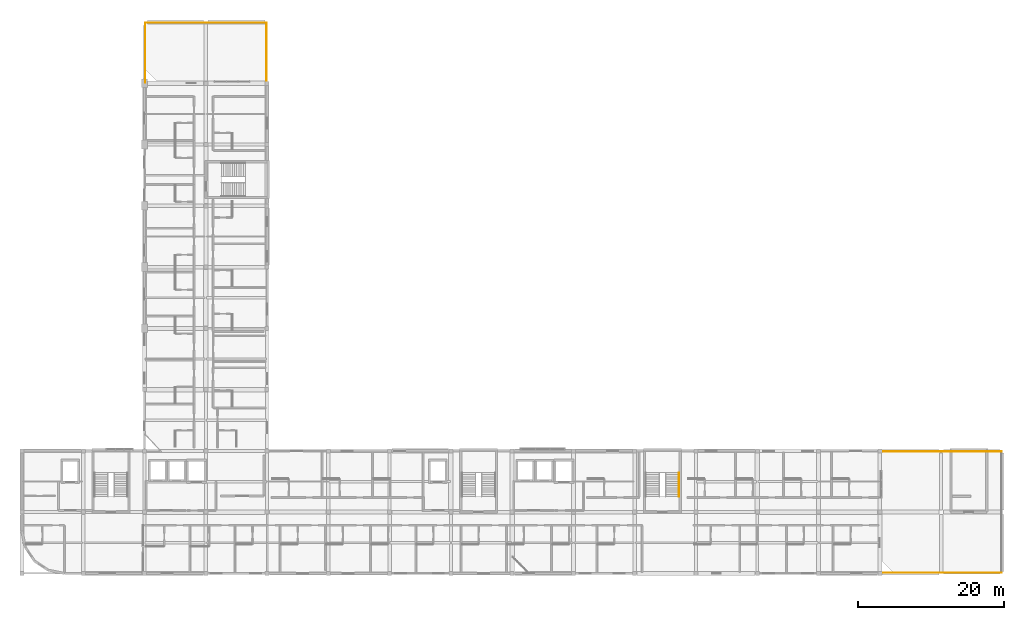
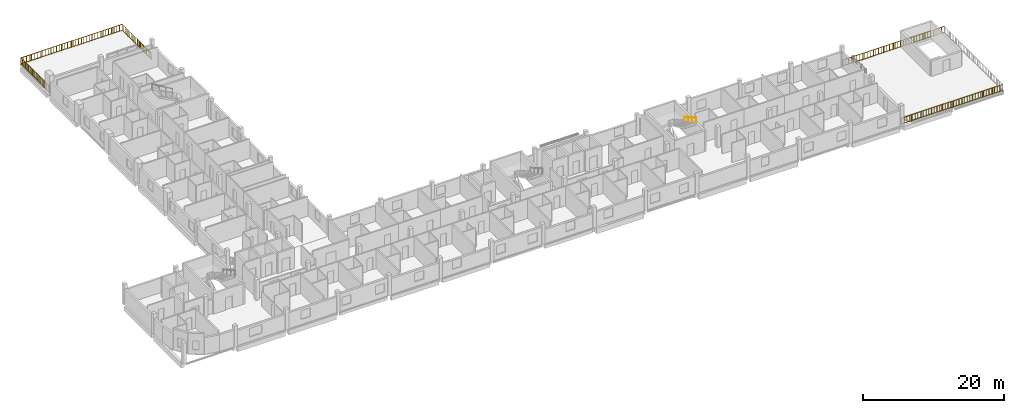
# One storey, part 25 of 26: 6 railings.
"""IFC4 building model written with IfcOpenShell, lengths in metres."""

from ifc_helpers import new_model, si_unit, derived_unit, direction, frame, origin, origin_2d, place, context, subcontext, project, spatial, circle, extrude, material, layer, layer_set, type_object, element, save


model = new_model("IFC4")

# Units and contexts
model_context = context("Model", 3, precision=1e-05, world=origin(), true_north=direction((0.0, 1.0)))
body_context = subcontext(model_context, "Body", "Model", "MODEL_VIEW")
ifc_project = project(units=[si_unit("LENGTHUNIT", "METRE"), si_unit("AREAUNIT", "SQUARE_METRE"), si_unit("VOLUMEUNIT", "CUBIC_METRE"), si_unit("PLANEANGLEUNIT", "RADIAN"), si_unit("MASSUNIT", "GRAM", prefix="KILO"), derived_unit("THERMALTRANSMITTANCEUNIT", [(si_unit("POWERUNIT", "WATT"), 1), (si_unit("LENGTHUNIT", "METRE"), -2), (si_unit("THERMODYNAMICTEMPERATUREUNIT", "KELVIN"), -1)])], contexts=[model_context])

# Site, building, storey
site_placement = place(None, origin())
site = spatial("IfcSite", under=ifc_project, at=site_placement, CompositionType="ELEMENT")
building_placement = place(site_placement, origin())
building = spatial("IfcBuilding", under=site, at=building_placement, Name="Barrovel Congress Hotel", CompositionType="ELEMENT")
storey_placement = place(building_placement, frame((0.0, 0.0, 32.699951171875)))
storey = spatial("IfcBuildingStorey", under=building, at=storey_placement, Name="L08", CompositionType="ELEMENT", Elevation=32.699951171875)

# Railings
ifc_material_1 = material(Name="Painted Architectural Steel", Category="steel")
ifc_layer_1 = layer(ifc_material_1, 0.080078125)
ifc_layer_set_1 = layer_set([ifc_layer_1], Name="Painted Architectural Steel")
railing_type_1 = type_object("IfcRailingType", Name="RAIL-GUARD-EXT", PredefinedType="BALUSTRADE", material=ifc_layer_set_1)
railing_1_placement = place(storey_placement, frame((134.5, 4.300048828125, 0.0)))
element("IfcRailing", 1, at=railing_1_placement, inside=storey, type_object=railing_type_1, Name="L08 East Terrace Guardrail 1", PredefinedType="BALUSTRADE", context=body_context, shape_type="SweptSolid", body=[
    extrude(circle(Radius=0.02392578125, at=origin_2d()), frame((0.0, 0.0, 1.11572265625), z_axis=(1.0, 0.0, 0.0), x_axis=(0.0, 1.0, 0.0)), (0.0, 0.0, 1.0), 16.60009765625),
    extrude(circle(Radius=0.02392578125, at=origin_2d()), frame((0.0, 0.0, 0.10009765625), z_axis=(1.0, 0.0, 0.0), x_axis=(0.0, 1.0, 0.0)), (0.0, 0.0, 1.0), 16.60009765625),
    extrude(circle(Radius=0.010009765625, at=origin_2d()), frame((0.44873046875, 0.0, 0.10009765625)), (0.0, 0.0, 1.0), 0.99169921875),
    extrude(circle(Radius=0.010009765625, at=origin_2d()), frame((0.897216796875, 0.0, 0.10009765625)), (0.0, 0.0, 1.0), 0.99169921875),
    extrude(circle(Radius=0.010009765625, at=origin_2d()), frame((1.345947265625, 0.0, 0.10009765625)), (0.0, 0.0, 1.0), 0.99169921875),
    extrude(circle(Radius=0.010009765625, at=origin_2d()), frame((1.794677734375, 0.0, 0.10009765625)), (0.0, 0.0, 1.0), 0.99169921875),
    extrude(circle(Radius=0.010009765625, at=origin_2d()), frame((2.2431640625, 0.0, 0.10009765625)), (0.0, 0.0, 1.0), 0.99169921875),
    extrude(circle(Radius=0.010009765625, at=origin_2d()), frame((2.69189453125, 0.0, 0.10009765625)), (0.0, 0.0, 1.0), 0.99169921875),
    extrude(circle(Radius=0.010009765625, at=origin_2d()), frame((3.140625, 0.0, 0.10009765625)), (0.0, 0.0, 1.0), 0.99169921875),
    extrude(circle(Radius=0.010009765625, at=origin_2d()), frame((3.589111328125, 0.0, 0.10009765625)), (0.0, 0.0, 1.0), 0.99169921875),
    extrude(circle(Radius=0.010009765625, at=origin_2d()), frame((4.037841796875, 0.0, 0.10009765625)), (0.0, 0.0, 1.0), 0.99169921875),
    extrude(circle(Radius=0.010009765625, at=origin_2d()), frame((4.486572265625, 0.0, 0.10009765625)), (0.0, 0.0, 1.0), 0.99169921875),
    extrude(circle(Radius=0.010009765625, at=origin_2d()), frame((4.93505859375, 0.0, 0.10009765625)), (0.0, 0.0, 1.0), 0.99169921875),
    extrude(circle(Radius=0.010009765625, at=origin_2d()), frame((5.3837890625, 0.0, 0.10009765625)), (0.0, 0.0, 1.0), 0.99169921875),
    extrude(circle(Radius=0.010009765625, at=origin_2d()), frame((5.83251953125, 0.0, 0.10009765625)), (0.0, 0.0, 1.0), 0.99169921875),
    extrude(circle(Radius=0.010009765625, at=origin_2d()), frame((6.281005859375, 0.0, 0.10009765625)), (0.0, 0.0, 1.0), 0.99169921875),
    extrude(circle(Radius=0.010009765625, at=origin_2d()), frame((6.729736328125, 0.0, 0.10009765625)), (0.0, 0.0, 1.0), 0.99169921875),
    extrude(circle(Radius=0.010009765625, at=origin_2d()), frame((7.178466796875, 0.0, 0.10009765625)), (0.0, 0.0, 1.0), 0.99169921875),
    extrude(circle(Radius=0.010009765625, at=origin_2d()), frame((7.626953125, 0.0, 0.10009765625)), (0.0, 0.0, 1.0), 0.99169921875),
    extrude(circle(Radius=0.010009765625, at=origin_2d()), frame((8.07568359375, 0.0, 0.10009765625)), (0.0, 0.0, 1.0), 0.99169921875),
    extrude(circle(Radius=0.010009765625, at=origin_2d()), frame((8.5244140625, 0.0, 0.10009765625)), (0.0, 0.0, 1.0), 0.99169921875),
    extrude(circle(Radius=0.010009765625, at=origin_2d()), frame((8.97314453125, 0.0, 0.10009765625)), (0.0, 0.0, 1.0), 0.99169921875),
    extrude(circle(Radius=0.010009765625, at=origin_2d()), frame((9.421630859375, 0.0, 0.10009765625)), (0.0, 0.0, 1.0), 0.99169921875),
    extrude(circle(Radius=0.010009765625, at=origin_2d()), frame((9.870361328125, 0.0, 0.10009765625)), (0.0, 0.0, 1.0), 0.99169921875),
    extrude(circle(Radius=0.010009765625, at=origin_2d()), frame((10.319091796875, 0.0, 0.10009765625)), (0.0, 0.0, 1.0), 0.99169921875),
    extrude(circle(Radius=0.010009765625, at=origin_2d()), frame((10.767578125, 0.0, 0.10009765625)), (0.0, 0.0, 1.0), 0.99169921875),
    extrude(circle(Radius=0.010009765625, at=origin_2d()), frame((11.21630859375, 0.0, 0.10009765625)), (0.0, 0.0, 1.0), 0.99169921875),
    extrude(circle(Radius=0.010009765625, at=origin_2d()), frame((11.6650390625, 0.0, 0.10009765625)), (0.0, 0.0, 1.0), 0.99169921875),
    extrude(circle(Radius=0.010009765625, at=origin_2d()), frame((12.113525390625, 0.0, 0.10009765625)), (0.0, 0.0, 1.0), 0.99169921875),
    extrude(circle(Radius=0.010009765625, at=origin_2d()), frame((12.562255859375, 0.0, 0.10009765625)), (0.0, 0.0, 1.0), 0.99169921875),
    extrude(circle(Radius=0.010009765625, at=origin_2d()), frame((13.010986328125, 0.0, 0.10009765625)), (0.0, 0.0, 1.0), 0.99169921875),
    extrude(circle(Radius=0.010009765625, at=origin_2d()), frame((13.45947265625, 0.0, 0.10009765625)), (0.0, 0.0, 1.0), 0.99169921875),
    extrude(circle(Radius=0.010009765625, at=origin_2d()), frame((13.908203125, 0.0, 0.10009765625)), (0.0, 0.0, 1.0), 0.99169921875),
    extrude(circle(Radius=0.010009765625, at=origin_2d()), frame((14.35693359375, 0.0, 0.10009765625)), (0.0, 0.0, 1.0), 0.99169921875),
    extrude(circle(Radius=0.010009765625, at=origin_2d()), frame((14.805419921875, 0.0, 0.10009765625)), (0.0, 0.0, 1.0), 0.99169921875),
    extrude(circle(Radius=0.010009765625, at=origin_2d()), frame((15.254150390625, 0.0, 0.10009765625)), (0.0, 0.0, 1.0), 0.99169921875),
    extrude(circle(Radius=0.010009765625, at=origin_2d()), frame((15.702880859375, 0.0, 0.10009765625)), (0.0, 0.0, 1.0), 0.99169921875),
    extrude(circle(Radius=0.010009765625, at=origin_2d()), frame((16.1513671875, 0.0, 0.10009765625)), (0.0, 0.0, 1.0), 0.99169921875),
    extrude(circle(Radius=0.02099609375, at=origin_2d()), origin(), (0.0, 0.0, 1.0), 1.091796875),
    extrude(circle(Radius=0.02099609375, at=origin_2d()), frame((1.659912109375, 0.0, 0.0)), (0.0, 0.0, 1.0), 1.091796875),
    extrude(circle(Radius=0.02099609375, at=origin_2d()), frame((3.320068359375, 0.0, 0.0)), (0.0, 0.0, 1.0), 1.091796875),
    extrude(circle(Radius=0.02099609375, at=origin_2d()), frame((4.97998046875, 0.0, 0.0)), (0.0, 0.0, 1.0), 1.091796875),
    extrude(circle(Radius=0.02099609375, at=origin_2d()), frame((6.64013671875, 0.0, 0.0)), (0.0, 0.0, 1.0), 1.091796875),
    extrude(circle(Radius=0.02099609375, at=origin_2d()), frame((8.300048828125, 0.0, 0.0)), (0.0, 0.0, 1.0), 1.091796875),
    extrude(circle(Radius=0.02099609375, at=origin_2d()), frame((9.9599609375, 0.0, 0.0)), (0.0, 0.0, 1.0), 1.091796875),
    extrude(circle(Radius=0.02099609375, at=origin_2d()), frame((11.6201171875, 0.0, 0.0)), (0.0, 0.0, 1.0), 1.091796875),
    extrude(circle(Radius=0.02099609375, at=origin_2d()), frame((13.280029296875, 0.0, 0.0)), (0.0, 0.0, 1.0), 1.091796875),
    extrude(circle(Radius=0.02099609375, at=origin_2d()), frame((14.940185546875, 0.0, 0.0)), (0.0, 0.0, 1.0), 1.091796875),
    extrude(circle(Radius=0.02099609375, at=origin_2d()), frame((16.60009765625, 0.0, 0.0)), (0.0, 0.0, 1.0), 1.091796875),
])
railing_2_placement = place(storey_placement, frame((151.10009765625, 20.89990234375, 0.0)))
element("IfcRailing", 2, at=railing_2_placement, inside=storey, type_object=railing_type_1, Name="L08 East Terrace Guardrail 3", PredefinedType="BALUSTRADE", context=body_context, shape_type="SweptSolid", body=[
    extrude(circle(Radius=0.02392578125, at=origin_2d()), frame((0.0, 0.0, 1.11572265625), z_axis=(-1.0, 0.0, 0.0), x_axis=(0.0, -1.0, 0.0)), (0.0, 0.0, 1.0), 16.60009765625),
    extrude(circle(Radius=0.02392578125, at=origin_2d()), frame((0.0, 0.0, 0.10009765625), z_axis=(-1.0, 0.0, 0.0), x_axis=(0.0, -1.0, 0.0)), (0.0, 0.0, 1.0), 16.60009765625),
    extrude(circle(Radius=0.010009765625, at=origin_2d()), frame((-0.44873046875, 0.0, 0.10009765625)), (0.0, 0.0, 1.0), 0.99169921875),
    extrude(circle(Radius=0.010009765625, at=origin_2d()), frame((-0.897216796875, 0.0, 0.10009765625)), (0.0, 0.0, 1.0), 0.99169921875),
    extrude(circle(Radius=0.010009765625, at=origin_2d()), frame((-1.345947265625, 0.0, 0.10009765625)), (0.0, 0.0, 1.0), 0.99169921875),
    extrude(circle(Radius=0.010009765625, at=origin_2d()), frame((-1.794677734375, 0.0, 0.10009765625)), (0.0, 0.0, 1.0), 0.99169921875),
    extrude(circle(Radius=0.010009765625, at=origin_2d()), frame((-2.2431640625, 0.0, 0.10009765625)), (0.0, 0.0, 1.0), 0.99169921875),
    extrude(circle(Radius=0.010009765625, at=origin_2d()), frame((-2.69189453125, 0.0, 0.10009765625)), (0.0, 0.0, 1.0), 0.99169921875),
    extrude(circle(Radius=0.010009765625, at=origin_2d()), frame((-3.140625, 0.0, 0.10009765625)), (0.0, 0.0, 1.0), 0.99169921875),
    extrude(circle(Radius=0.010009765625, at=origin_2d()), frame((-3.589111328125, 0.0, 0.10009765625)), (0.0, 0.0, 1.0), 0.99169921875),
    extrude(circle(Radius=0.010009765625, at=origin_2d()), frame((-4.037841796875, 0.0, 0.10009765625)), (0.0, 0.0, 1.0), 0.99169921875),
    extrude(circle(Radius=0.010009765625, at=origin_2d()), frame((-4.486572265625, 0.0, 0.10009765625)), (0.0, 0.0, 1.0), 0.99169921875),
    extrude(circle(Radius=0.010009765625, at=origin_2d()), frame((-4.93505859375, 0.0, 0.10009765625)), (0.0, 0.0, 1.0), 0.99169921875),
    extrude(circle(Radius=0.010009765625, at=origin_2d()), frame((-5.3837890625, 0.0, 0.10009765625)), (0.0, 0.0, 1.0), 0.99169921875),
    extrude(circle(Radius=0.010009765625, at=origin_2d()), frame((-5.83251953125, 0.0, 0.10009765625)), (0.0, 0.0, 1.0), 0.99169921875),
    extrude(circle(Radius=0.010009765625, at=origin_2d()), frame((-6.281005859375, 0.0, 0.10009765625)), (0.0, 0.0, 1.0), 0.99169921875),
    extrude(circle(Radius=0.010009765625, at=origin_2d()), frame((-6.729736328125, 0.0, 0.10009765625)), (0.0, 0.0, 1.0), 0.99169921875),
    extrude(circle(Radius=0.010009765625, at=origin_2d()), frame((-7.178466796875, 0.0, 0.10009765625)), (0.0, 0.0, 1.0), 0.99169921875),
    extrude(circle(Radius=0.010009765625, at=origin_2d()), frame((-7.626953125, 0.0, 0.10009765625)), (0.0, 0.0, 1.0), 0.99169921875),
    extrude(circle(Radius=0.010009765625, at=origin_2d()), frame((-8.07568359375, 0.0, 0.10009765625)), (0.0, 0.0, 1.0), 0.99169921875),
    extrude(circle(Radius=0.010009765625, at=origin_2d()), frame((-8.5244140625, 0.0, 0.10009765625)), (0.0, 0.0, 1.0), 0.99169921875),
    extrude(circle(Radius=0.010009765625, at=origin_2d()), frame((-8.97314453125, 0.0, 0.10009765625)), (0.0, 0.0, 1.0), 0.99169921875),
    extrude(circle(Radius=0.010009765625, at=origin_2d()), frame((-9.421630859375, 0.0, 0.10009765625)), (0.0, 0.0, 1.0), 0.99169921875),
    extrude(circle(Radius=0.010009765625, at=origin_2d()), frame((-9.870361328125, 0.0, 0.10009765625)), (0.0, 0.0, 1.0), 0.99169921875),
    extrude(circle(Radius=0.010009765625, at=origin_2d()), frame((-10.319091796875, 0.0, 0.10009765625)), (0.0, 0.0, 1.0), 0.99169921875),
    extrude(circle(Radius=0.010009765625, at=origin_2d()), frame((-10.767578125, 0.0, 0.10009765625)), (0.0, 0.0, 1.0), 0.99169921875),
    extrude(circle(Radius=0.010009765625, at=origin_2d()), frame((-11.21630859375, 0.0, 0.10009765625)), (0.0, 0.0, 1.0), 0.99169921875),
    extrude(circle(Radius=0.010009765625, at=origin_2d()), frame((-11.6650390625, 0.0, 0.10009765625)), (0.0, 0.0, 1.0), 0.99169921875),
    extrude(circle(Radius=0.010009765625, at=origin_2d()), frame((-12.113525390625, 0.0, 0.10009765625)), (0.0, 0.0, 1.0), 0.99169921875),
    extrude(circle(Radius=0.010009765625, at=origin_2d()), frame((-12.562255859375, 0.0, 0.10009765625)), (0.0, 0.0, 1.0), 0.99169921875),
    extrude(circle(Radius=0.010009765625, at=origin_2d()), frame((-13.010986328125, 0.0, 0.10009765625)), (0.0, 0.0, 1.0), 0.99169921875),
    extrude(circle(Radius=0.010009765625, at=origin_2d()), frame((-13.45947265625, 0.0, 0.10009765625)), (0.0, 0.0, 1.0), 0.99169921875),
    extrude(circle(Radius=0.010009765625, at=origin_2d()), frame((-13.908203125, 0.0, 0.10009765625)), (0.0, 0.0, 1.0), 0.99169921875),
    extrude(circle(Radius=0.010009765625, at=origin_2d()), frame((-14.35693359375, 0.0, 0.10009765625)), (0.0, 0.0, 1.0), 0.99169921875),
    extrude(circle(Radius=0.010009765625, at=origin_2d()), frame((-14.805419921875, 0.0, 0.10009765625)), (0.0, 0.0, 1.0), 0.99169921875),
    extrude(circle(Radius=0.010009765625, at=origin_2d()), frame((-15.254150390625, 0.0, 0.10009765625)), (0.0, 0.0, 1.0), 0.99169921875),
    extrude(circle(Radius=0.010009765625, at=origin_2d()), frame((-15.702880859375, 0.0, 0.10009765625)), (0.0, 0.0, 1.0), 0.99169921875),
    extrude(circle(Radius=0.010009765625, at=origin_2d()), frame((-16.1513671875, 0.0, 0.10009765625)), (0.0, 0.0, 1.0), 0.99169921875),
    extrude(circle(Radius=0.02099609375, at=origin_2d()), origin(), (0.0, 0.0, 1.0), 1.091796875),
    extrude(circle(Radius=0.02099609375, at=origin_2d()), frame((-1.659912109375, 0.0, 0.0)), (0.0, 0.0, 1.0), 1.091796875),
    extrude(circle(Radius=0.02099609375, at=origin_2d()), frame((-3.320068359375, 0.0, 0.0)), (0.0, 0.0, 1.0), 1.091796875),
    extrude(circle(Radius=0.02099609375, at=origin_2d()), frame((-4.97998046875, 0.0, 0.0)), (0.0, 0.0, 1.0), 1.091796875),
    extrude(circle(Radius=0.02099609375, at=origin_2d()), frame((-6.64013671875, 0.0, 0.0)), (0.0, 0.0, 1.0), 1.091796875),
    extrude(circle(Radius=0.02099609375, at=origin_2d()), frame((-8.300048828125, 0.0, 0.0)), (0.0, 0.0, 1.0), 1.091796875),
    extrude(circle(Radius=0.02099609375, at=origin_2d()), frame((-9.9599609375, 0.0, 0.0)), (0.0, 0.0, 1.0), 1.091796875),
    extrude(circle(Radius=0.02099609375, at=origin_2d()), frame((-11.6201171875, 0.0, 0.0)), (0.0, 0.0, 1.0), 1.091796875),
    extrude(circle(Radius=0.02099609375, at=origin_2d()), frame((-13.280029296875, 0.0, 0.0)), (0.0, 0.0, 1.0), 1.091796875),
    extrude(circle(Radius=0.02099609375, at=origin_2d()), frame((-14.940185546875, 0.0, 0.0)), (0.0, 0.0, 1.0), 1.091796875),
    extrude(circle(Radius=0.02099609375, at=origin_2d()), frame((-16.60009765625, 0.0, 0.0)), (0.0, 0.0, 1.0), 1.091796875),
])
railing_3_placement = place(storey_placement, frame((50.300048828125, 71.5, 0.0)))
element("IfcRailing", 3, at=railing_3_placement, inside=storey, type_object=railing_type_1, Name="L08 North Terrace Guardrail 1", PredefinedType="BALUSTRADE", context=body_context, shape_type="SweptSolid", body=[
    extrude(circle(Radius=0.02392578125, at=origin_2d()), frame((0.0, 0.0, 1.11572265625), z_axis=(0.0, 1.0, 0.0), x_axis=(-1.0, 0.0, 0.0)), (0.0, 0.0, 1.0), 8.199951171875),
    extrude(circle(Radius=0.02392578125, at=origin_2d()), frame((0.0, 0.0, 0.10009765625), z_axis=(0.0, 1.0, 0.0), x_axis=(-1.0, 0.0, 0.0)), (0.0, 0.0, 1.0), 8.199951171875),
    extrude(circle(Radius=0.010009765625, at=origin_2d()), frame((0.0, 0.431640625, 0.10009765625)), (0.0, 0.0, 1.0), 0.99169921875),
    extrude(circle(Radius=0.010009765625, at=origin_2d()), frame((0.0, 0.863037109375, 0.10009765625)), (0.0, 0.0, 1.0), 0.99169921875),
    extrude(circle(Radius=0.010009765625, at=origin_2d()), frame((0.0, 1.294677734375, 0.10009765625)), (0.0, 0.0, 1.0), 0.99169921875),
    extrude(circle(Radius=0.010009765625, at=origin_2d()), frame((0.0, 1.726318359375, 0.10009765625)), (0.0, 0.0, 1.0), 0.99169921875),
    extrude(circle(Radius=0.010009765625, at=origin_2d()), frame((0.0, 2.157958984375, 0.10009765625)), (0.0, 0.0, 1.0), 0.99169921875),
    extrude(circle(Radius=0.010009765625, at=origin_2d()), frame((0.0, 2.58935546875, 0.10009765625)), (0.0, 0.0, 1.0), 0.99169921875),
    extrude(circle(Radius=0.010009765625, at=origin_2d()), frame((0.0, 3.02099609375, 0.10009765625)), (0.0, 0.0, 1.0), 0.99169921875),
    extrude(circle(Radius=0.010009765625, at=origin_2d()), frame((0.0, 3.45263671875, 0.10009765625)), (0.0, 0.0, 1.0), 0.99169921875),
    extrude(circle(Radius=0.010009765625, at=origin_2d()), frame((0.0, 3.88427734375, 0.10009765625)), (0.0, 0.0, 1.0), 0.99169921875),
    extrude(circle(Radius=0.010009765625, at=origin_2d()), frame((0.0, 4.315673828125, 0.10009765625)), (0.0, 0.0, 1.0), 0.99169921875),
    extrude(circle(Radius=0.010009765625, at=origin_2d()), frame((0.0, 4.747314453125, 0.10009765625)), (0.0, 0.0, 1.0), 0.99169921875),
    extrude(circle(Radius=0.010009765625, at=origin_2d()), frame((0.0, 5.178955078125, 0.10009765625)), (0.0, 0.0, 1.0), 0.99169921875),
    extrude(circle(Radius=0.010009765625, at=origin_2d()), frame((0.0, 5.610595703125, 0.10009765625)), (0.0, 0.0, 1.0), 0.99169921875),
    extrude(circle(Radius=0.010009765625, at=origin_2d()), frame((0.0, 6.0419921875, 0.10009765625)), (0.0, 0.0, 1.0), 0.99169921875),
    extrude(circle(Radius=0.010009765625, at=origin_2d()), frame((0.0, 6.4736328125, 0.10009765625)), (0.0, 0.0, 1.0), 0.99169921875),
    extrude(circle(Radius=0.010009765625, at=origin_2d()), frame((0.0, 6.9052734375, 0.10009765625)), (0.0, 0.0, 1.0), 0.99169921875),
    extrude(circle(Radius=0.010009765625, at=origin_2d()), frame((0.0, 7.3369140625, 0.10009765625)), (0.0, 0.0, 1.0), 0.99169921875),
    extrude(circle(Radius=0.010009765625, at=origin_2d()), frame((0.0, 7.768310546875, 0.10009765625)), (0.0, 0.0, 1.0), 0.99169921875),
    extrude(circle(Radius=0.02099609375, at=origin_2d()), origin(), (0.0, 0.0, 1.0), 1.091796875),
    extrude(circle(Radius=0.02099609375, at=origin_2d()), frame((0.0, 1.639892578125, 0.0)), (0.0, 0.0, 1.0), 1.091796875),
    extrude(circle(Radius=0.02099609375, at=origin_2d()), frame((0.0, 3.280029296875, 0.0)), (0.0, 0.0, 1.0), 1.091796875),
    extrude(circle(Radius=0.02099609375, at=origin_2d()), frame((0.0, 4.919921875, 0.0)), (0.0, 0.0, 1.0), 1.091796875),
    extrude(circle(Radius=0.02099609375, at=origin_2d()), frame((0.0, 6.56005859375, 0.0)), (0.0, 0.0, 1.0), 1.091796875),
    extrude(circle(Radius=0.02099609375, at=origin_2d()), frame((0.0, 8.199951171875, 0.0)), (0.0, 0.0, 1.0), 1.091796875),
])
railing_4_placement = place(storey_placement, frame((50.300048828125, 79.699951171875, 0.0)))
element("IfcRailing", 4, at=railing_4_placement, inside=storey, type_object=railing_type_1, Name="L08 North Terrace Guardrail 2", PredefinedType="BALUSTRADE", context=body_context, shape_type="SweptSolid", body=[
    extrude(circle(Radius=0.02392578125, at=origin_2d()), frame((0.0, 0.0, 1.11572265625), z_axis=(-1.0, 0.0, 0.0), x_axis=(0.0, -1.0, 0.0)), (0.0, 0.0, 1.0), 16.60009765625),
    extrude(circle(Radius=0.02392578125, at=origin_2d()), frame((0.0, 0.0, 0.10009765625), z_axis=(-1.0, 0.0, 0.0), x_axis=(0.0, -1.0, 0.0)), (0.0, 0.0, 1.0), 16.60009765625),
    extrude(circle(Radius=0.010009765625, at=origin_2d()), frame((-0.44873046875, 0.0, 0.10009765625)), (0.0, 0.0, 1.0), 0.99169921875),
    extrude(circle(Radius=0.010009765625, at=origin_2d()), frame((-0.897216796875, 0.0, 0.10009765625)), (0.0, 0.0, 1.0), 0.99169921875),
    extrude(circle(Radius=0.010009765625, at=origin_2d()), frame((-1.345947265625, 0.0, 0.10009765625)), (0.0, 0.0, 1.0), 0.99169921875),
    extrude(circle(Radius=0.010009765625, at=origin_2d()), frame((-1.794677734375, 0.0, 0.10009765625)), (0.0, 0.0, 1.0), 0.99169921875),
    extrude(circle(Radius=0.010009765625, at=origin_2d()), frame((-2.2431640625, 0.0, 0.10009765625)), (0.0, 0.0, 1.0), 0.99169921875),
    extrude(circle(Radius=0.010009765625, at=origin_2d()), frame((-2.69189453125, 0.0, 0.10009765625)), (0.0, 0.0, 1.0), 0.99169921875),
    extrude(circle(Radius=0.010009765625, at=origin_2d()), frame((-3.140625, 0.0, 0.10009765625)), (0.0, 0.0, 1.0), 0.99169921875),
    extrude(circle(Radius=0.010009765625, at=origin_2d()), frame((-3.589111328125, 0.0, 0.10009765625)), (0.0, 0.0, 1.0), 0.99169921875),
    extrude(circle(Radius=0.010009765625, at=origin_2d()), frame((-4.037841796875, 0.0, 0.10009765625)), (0.0, 0.0, 1.0), 0.99169921875),
    extrude(circle(Radius=0.010009765625, at=origin_2d()), frame((-4.486572265625, 0.0, 0.10009765625)), (0.0, 0.0, 1.0), 0.99169921875),
    extrude(circle(Radius=0.010009765625, at=origin_2d()), frame((-4.93505859375, 0.0, 0.10009765625)), (0.0, 0.0, 1.0), 0.99169921875),
    extrude(circle(Radius=0.010009765625, at=origin_2d()), frame((-5.3837890625, 0.0, 0.10009765625)), (0.0, 0.0, 1.0), 0.99169921875),
    extrude(circle(Radius=0.010009765625, at=origin_2d()), frame((-5.83251953125, 0.0, 0.10009765625)), (0.0, 0.0, 1.0), 0.99169921875),
    extrude(circle(Radius=0.010009765625, at=origin_2d()), frame((-6.281005859375, 0.0, 0.10009765625)), (0.0, 0.0, 1.0), 0.99169921875),
    extrude(circle(Radius=0.010009765625, at=origin_2d()), frame((-6.729736328125, 0.0, 0.10009765625)), (0.0, 0.0, 1.0), 0.99169921875),
    extrude(circle(Radius=0.010009765625, at=origin_2d()), frame((-7.178466796875, 0.0, 0.10009765625)), (0.0, 0.0, 1.0), 0.99169921875),
    extrude(circle(Radius=0.010009765625, at=origin_2d()), frame((-7.626953125, 0.0, 0.10009765625)), (0.0, 0.0, 1.0), 0.99169921875),
    extrude(circle(Radius=0.010009765625, at=origin_2d()), frame((-8.07568359375, 0.0, 0.10009765625)), (0.0, 0.0, 1.0), 0.99169921875),
    extrude(circle(Radius=0.010009765625, at=origin_2d()), frame((-8.5244140625, 0.0, 0.10009765625)), (0.0, 0.0, 1.0), 0.99169921875),
    extrude(circle(Radius=0.010009765625, at=origin_2d()), frame((-8.97314453125, 0.0, 0.10009765625)), (0.0, 0.0, 1.0), 0.99169921875),
    extrude(circle(Radius=0.010009765625, at=origin_2d()), frame((-9.421630859375, 0.0, 0.10009765625)), (0.0, 0.0, 1.0), 0.99169921875),
    extrude(circle(Radius=0.010009765625, at=origin_2d()), frame((-9.870361328125, 0.0, 0.10009765625)), (0.0, 0.0, 1.0), 0.99169921875),
    extrude(circle(Radius=0.010009765625, at=origin_2d()), frame((-10.319091796875, 0.0, 0.10009765625)), (0.0, 0.0, 1.0), 0.99169921875),
    extrude(circle(Radius=0.010009765625, at=origin_2d()), frame((-10.767578125, 0.0, 0.10009765625)), (0.0, 0.0, 1.0), 0.99169921875),
    extrude(circle(Radius=0.010009765625, at=origin_2d()), frame((-11.21630859375, 0.0, 0.10009765625)), (0.0, 0.0, 1.0), 0.99169921875),
    extrude(circle(Radius=0.010009765625, at=origin_2d()), frame((-11.6650390625, 0.0, 0.10009765625)), (0.0, 0.0, 1.0), 0.99169921875),
    extrude(circle(Radius=0.010009765625, at=origin_2d()), frame((-12.113525390625, 0.0, 0.10009765625)), (0.0, 0.0, 1.0), 0.99169921875),
    extrude(circle(Radius=0.010009765625, at=origin_2d()), frame((-12.562255859375, 0.0, 0.10009765625)), (0.0, 0.0, 1.0), 0.99169921875),
    extrude(circle(Radius=0.010009765625, at=origin_2d()), frame((-13.010986328125, 0.0, 0.10009765625)), (0.0, 0.0, 1.0), 0.99169921875),
    extrude(circle(Radius=0.010009765625, at=origin_2d()), frame((-13.45947265625, 0.0, 0.10009765625)), (0.0, 0.0, 1.0), 0.99169921875),
    extrude(circle(Radius=0.010009765625, at=origin_2d()), frame((-13.908203125, 0.0, 0.10009765625)), (0.0, 0.0, 1.0), 0.99169921875),
    extrude(circle(Radius=0.010009765625, at=origin_2d()), frame((-14.35693359375, 0.0, 0.10009765625)), (0.0, 0.0, 1.0), 0.99169921875),
    extrude(circle(Radius=0.010009765625, at=origin_2d()), frame((-14.805419921875, 0.0, 0.10009765625)), (0.0, 0.0, 1.0), 0.99169921875),
    extrude(circle(Radius=0.010009765625, at=origin_2d()), frame((-15.254150390625, 0.0, 0.10009765625)), (0.0, 0.0, 1.0), 0.99169921875),
    extrude(circle(Radius=0.010009765625, at=origin_2d()), frame((-15.702880859375, 0.0, 0.10009765625)), (0.0, 0.0, 1.0), 0.99169921875),
    extrude(circle(Radius=0.010009765625, at=origin_2d()), frame((-16.1513671875, 0.0, 0.10009765625)), (0.0, 0.0, 1.0), 0.99169921875),
    extrude(circle(Radius=0.02099609375, at=origin_2d()), origin(), (0.0, 0.0, 1.0), 1.091796875),
    extrude(circle(Radius=0.02099609375, at=origin_2d()), frame((-1.659912109375, 0.0, 0.0)), (0.0, 0.0, 1.0), 1.091796875),
    extrude(circle(Radius=0.02099609375, at=origin_2d()), frame((-3.320068359375, 0.0, 0.0)), (0.0, 0.0, 1.0), 1.091796875),
    extrude(circle(Radius=0.02099609375, at=origin_2d()), frame((-4.97998046875, 0.0, 0.0)), (0.0, 0.0, 1.0), 1.091796875),
    extrude(circle(Radius=0.02099609375, at=origin_2d()), frame((-6.64013671875, 0.0, 0.0)), (0.0, 0.0, 1.0), 1.091796875),
    extrude(circle(Radius=0.02099609375, at=origin_2d()), frame((-8.300048828125, 0.0, 0.0)), (0.0, 0.0, 1.0), 1.091796875),
    extrude(circle(Radius=0.02099609375, at=origin_2d()), frame((-9.9599609375, 0.0, 0.0)), (0.0, 0.0, 1.0), 1.091796875),
    extrude(circle(Radius=0.02099609375, at=origin_2d()), frame((-11.6201171875, 0.0, 0.0)), (0.0, 0.0, 1.0), 1.091796875),
    extrude(circle(Radius=0.02099609375, at=origin_2d()), frame((-13.280029296875, 0.0, 0.0)), (0.0, 0.0, 1.0), 1.091796875),
    extrude(circle(Radius=0.02099609375, at=origin_2d()), frame((-14.940185546875, 0.0, 0.0)), (0.0, 0.0, 1.0), 1.091796875),
    extrude(circle(Radius=0.02099609375, at=origin_2d()), frame((-16.60009765625, 0.0, 0.0)), (0.0, 0.0, 1.0), 1.091796875),
])
railing_5_placement = place(storey_placement, frame((33.699951171875, 79.699951171875, 0.0)))
element("IfcRailing", 5, at=railing_5_placement, inside=storey, type_object=railing_type_1, Name="L08 North Terrace Guardrail 3", PredefinedType="BALUSTRADE", context=body_context, shape_type="SweptSolid", body=[
    extrude(circle(Radius=0.02392578125, at=origin_2d()), frame((0.0, 0.0, 1.11572265625), z_axis=(0.0, -1.0, 0.0), x_axis=(1.0, 0.0, 0.0)), (0.0, 0.0, 1.0), 8.199951171875),
    extrude(circle(Radius=0.02392578125, at=origin_2d()), frame((0.0, 0.0, 0.10009765625), z_axis=(0.0, -1.0, 0.0), x_axis=(1.0, 0.0, 0.0)), (0.0, 0.0, 1.0), 8.199951171875),
    extrude(circle(Radius=0.010009765625, at=origin_2d()), frame((0.0, -0.431640625, 0.10009765625)), (0.0, 0.0, 1.0), 0.99169921875),
    extrude(circle(Radius=0.010009765625, at=origin_2d()), frame((0.0, -0.863037109375, 0.10009765625)), (0.0, 0.0, 1.0), 0.99169921875),
    extrude(circle(Radius=0.010009765625, at=origin_2d()), frame((0.0, -1.294677734375, 0.10009765625)), (0.0, 0.0, 1.0), 0.99169921875),
    extrude(circle(Radius=0.010009765625, at=origin_2d()), frame((0.0, -1.726318359375, 0.10009765625)), (0.0, 0.0, 1.0), 0.99169921875),
    extrude(circle(Radius=0.010009765625, at=origin_2d()), frame((0.0, -2.157958984375, 0.10009765625)), (0.0, 0.0, 1.0), 0.99169921875),
    extrude(circle(Radius=0.010009765625, at=origin_2d()), frame((0.0, -2.58935546875, 0.10009765625)), (0.0, 0.0, 1.0), 0.99169921875),
    extrude(circle(Radius=0.010009765625, at=origin_2d()), frame((0.0, -3.02099609375, 0.10009765625)), (0.0, 0.0, 1.0), 0.99169921875),
    extrude(circle(Radius=0.010009765625, at=origin_2d()), frame((0.0, -3.45263671875, 0.10009765625)), (0.0, 0.0, 1.0), 0.99169921875),
    extrude(circle(Radius=0.010009765625, at=origin_2d()), frame((0.0, -3.88427734375, 0.10009765625)), (0.0, 0.0, 1.0), 0.99169921875),
    extrude(circle(Radius=0.010009765625, at=origin_2d()), frame((0.0, -4.315673828125, 0.10009765625)), (0.0, 0.0, 1.0), 0.99169921875),
    extrude(circle(Radius=0.010009765625, at=origin_2d()), frame((0.0, -4.747314453125, 0.10009765625)), (0.0, 0.0, 1.0), 0.99169921875),
    extrude(circle(Radius=0.010009765625, at=origin_2d()), frame((0.0, -5.178955078125, 0.10009765625)), (0.0, 0.0, 1.0), 0.99169921875),
    extrude(circle(Radius=0.010009765625, at=origin_2d()), frame((0.0, -5.610595703125, 0.10009765625)), (0.0, 0.0, 1.0), 0.99169921875),
    extrude(circle(Radius=0.010009765625, at=origin_2d()), frame((0.0, -6.0419921875, 0.10009765625)), (0.0, 0.0, 1.0), 0.99169921875),
    extrude(circle(Radius=0.010009765625, at=origin_2d()), frame((0.0, -6.4736328125, 0.10009765625)), (0.0, 0.0, 1.0), 0.99169921875),
    extrude(circle(Radius=0.010009765625, at=origin_2d()), frame((0.0, -6.9052734375, 0.10009765625)), (0.0, 0.0, 1.0), 0.99169921875),
    extrude(circle(Radius=0.010009765625, at=origin_2d()), frame((0.0, -7.3369140625, 0.10009765625)), (0.0, 0.0, 1.0), 0.99169921875),
    extrude(circle(Radius=0.010009765625, at=origin_2d()), frame((0.0, -7.768310546875, 0.10009765625)), (0.0, 0.0, 1.0), 0.99169921875),
    extrude(circle(Radius=0.02099609375, at=origin_2d()), origin(), (0.0, 0.0, 1.0), 1.091796875),
    extrude(circle(Radius=0.02099609375, at=origin_2d()), frame((0.0, -1.639892578125, 0.0)), (0.0, 0.0, 1.0), 1.091796875),
    extrude(circle(Radius=0.02099609375, at=origin_2d()), frame((0.0, -3.280029296875, 0.0)), (0.0, 0.0, 1.0), 1.091796875),
    extrude(circle(Radius=0.02099609375, at=origin_2d()), frame((0.0, -4.919921875, 0.0)), (0.0, 0.0, 1.0), 1.091796875),
    extrude(circle(Radius=0.02099609375, at=origin_2d()), frame((0.0, -6.56005859375, 0.0)), (0.0, 0.0, 1.0), 1.091796875),
    extrude(circle(Radius=0.02099609375, at=origin_2d()), frame((0.0, -8.199951171875, 0.0)), (0.0, 0.0, 1.0), 1.091796875),
])
ifc_material_2 = material(Name="Brushed Stainless Steel", Category="steel")
ifc_layer_2 = layer(ifc_material_2, 0.050048828125)
ifc_layer_set_2 = layer_set([ifc_layer_2], Name="Brushed Stainless Steel")
railing_type_2 = type_object("IfcRailingType", Name="RAIL-HAND", PredefinedType="HANDRAIL", material=ifc_layer_set_2)
railing_6_placement = place(storey_placement, frame((106.8798828125, 18.010009765625, 1.800048828125)))
element("IfcRailing", 6, at=railing_6_placement, inside=storey, type_object=railing_type_2, Name="STAIR:XS-03:L08:HR-2", PredefinedType="HANDRAIL", context=body_context, shape_type="SweptSolid", body=[
    extrude(circle(Radius=0.02392578125, at=origin_2d()), frame((0.0, 0.0, 0.89599609375), z_axis=(0.0, -0.876041855244, 0.482235075311), x_axis=(1.0, 0.0, 0.0)), (0.0, 0.0, 1.0), 3.732666015625),
    extrude(circle(Radius=0.02099609375, at=origin_2d()), origin(), (0.0, 0.0, 1.0), 0.871826171875),
    extrude(circle(Radius=0.02099609375, at=origin_2d()), frame((0.0, -1.090087890625, 0.60009765625)), (0.0, 0.0, 1.0), 0.871826171875),
    extrude(circle(Radius=0.02099609375, at=origin_2d()), frame((0.0, -2.179931640625, 1.199951171875)), (0.0, 0.0, 1.0), 0.871826171875),
    extrude(circle(Radius=0.02099609375, at=origin_2d()), frame((0.0, -3.27001953125, 1.800048828125)), (0.0, 0.0, 1.0), 0.871826171875),
])

save(model, "model.ifc")
